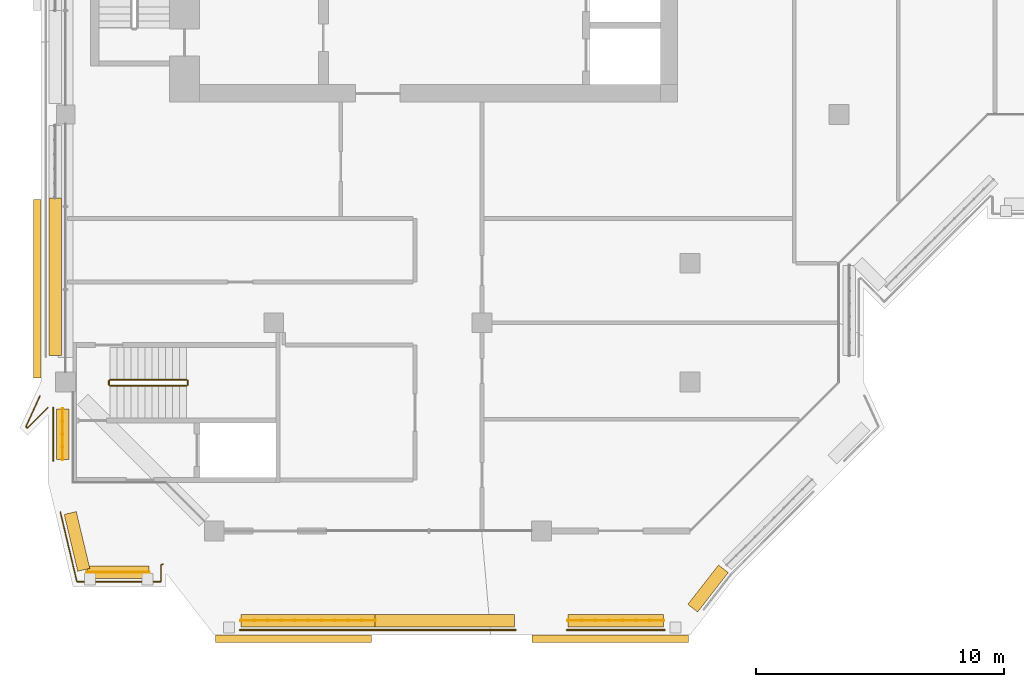
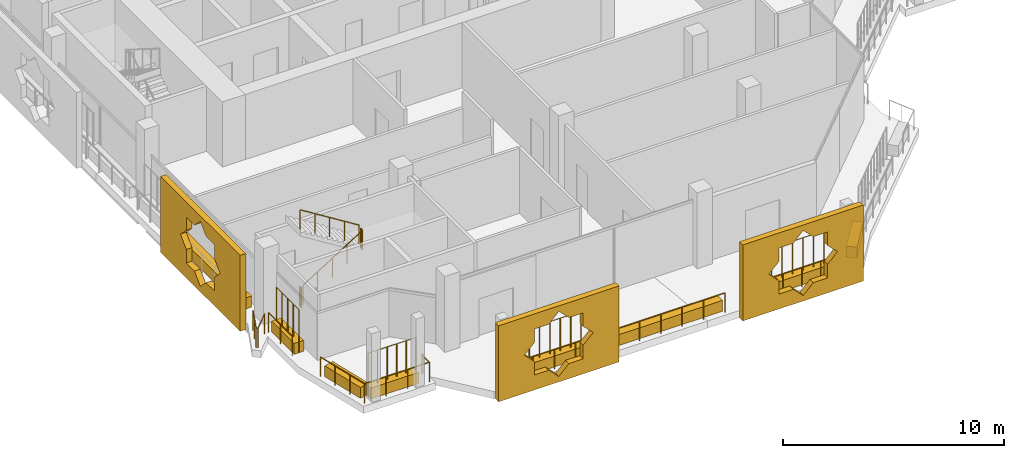
# One storey, part 15 of 22: 13 railings, 11 coverings.
"""IFC4 building model written with IfcOpenShell, lengths in metres."""

from ifc_helpers import new_model, si_unit, direction, frame, origin, origin_2d, place, context, subcontext, project, spatial, polyline, rectangle, circle, outline, extrude, material, material_profile, profile_set, type_object, element, save


model = new_model("IFC4")

# Units and contexts
model_context = context("Model", 3, precision=1e-05, world=origin(), true_north=direction((0.0, 1.0)))
body_context = subcontext(model_context, "Body", "Model", "MODEL_VIEW")
ifc_project = project(units=[si_unit("LENGTHUNIT", "METRE"), si_unit("AREAUNIT", "SQUARE_METRE"), si_unit("VOLUMEUNIT", "CUBIC_METRE"), si_unit("PLANEANGLEUNIT", "RADIAN"), si_unit("MASSUNIT", "GRAM", prefix="KILO")], contexts=[model_context])

# Site, building, storey
site_placement = place(None, origin())
site = spatial("IfcSite", under=ifc_project, at=site_placement, CompositionType="ELEMENT")
building_placement = place(site_placement, origin())
building = spatial("IfcBuilding", under=site, at=building_placement, Name="Kawkab Arch Medical Tower", CompositionType="ELEMENT")
storey_placement = place(building_placement, frame((0.0, 0.0, 298.60009765625)))
storey = spatial("IfcBuildingStorey", under=building, at=storey_placement, Name="L69", CompositionType="ELEMENT", Elevation=298.60009765625)

# Railings
ifc_material_1 = material(Name="Bronze anodised aluminium guard", Category="aluminium")
railing_type_1 = type_object("IfcRailingType", Name="Loggia and terrace guard 1100", PredefinedType="GUARDRAIL", material=ifc_material_1)
railing_1_placement = place(storey_placement, frame((3.94189453125, -43.339111328125, 0.0)))
element("IfcRailing", 1, at=railing_1_placement, inside=storey, type_object=railing_type_1, Name="Guard L69.LOG-01.1.1", PredefinedType="GUARDRAIL", context=body_context, shape_type="SweptSolid", body=[
    extrude(circle(Radius=0.02392578125, at=origin_2d()), frame((0.0, 0.0, 1.076171875), z_axis=(-0.924525255645, -0.381120783577, 0.0), x_axis=(0.381120783577, -0.924525255645, 0.0)), (0.0, 0.0, 1.0), 0.099365234375),
    extrude(circle(Radius=0.02392578125, at=origin_2d()), frame((-0.091796875, -0.037841796875, 1.076171875), z_axis=(0.0, -1.0, 0.0), x_axis=(1.0, 0.0, 0.0)), (0.0, 0.0, 1.0), 0.673095703125),
    extrude(circle(Radius=0.02392578125, at=origin_2d()), frame((-0.091796875, -0.7109375, 1.076171875), z_axis=(-1.0, 0.0, 0.0), x_axis=(0.0, -1.0, 0.0)), (0.0, 0.0, 1.0), 3.39208984375),
    extrude(circle(Radius=0.02392578125, at=origin_2d()), frame((-3.48388671875, -0.7109375, 1.076171875), z_axis=(-0.231442138983, 0.972848670813, 0.0), x_axis=(-0.972848670813, -0.231442138983, 0.0)), (0.0, 0.0, 1.0), 2.898681640625),
    extrude(circle(Radius=0.02099609375, at=origin_2d()), origin(), (0.0, 0.0, 1.0), 1.052001953125),
    extrude(circle(Radius=0.02099609375, at=origin_2d()), frame((-0.091796875, -0.037841796875, 0.0)), (0.0, 0.0, 1.0), 1.052001953125),
    extrude(circle(Radius=0.02099609375, at=origin_2d()), frame((-0.091796875, -0.7109375, 0.0)), (0.0, 0.0, 1.0), 1.052001953125),
    extrude(circle(Radius=0.02099609375, at=origin_2d()), frame((-1.222412109375, -0.7109375, 0.0)), (0.0, 0.0, 1.0), 1.052001953125),
    extrude(circle(Radius=0.02099609375, at=origin_2d()), frame((-2.353271484375, -0.7109375, 0.0)), (0.0, 0.0, 1.0), 1.052001953125),
    extrude(circle(Radius=0.02099609375, at=origin_2d()), frame((-3.48388671875, -0.7109375, 0.0)), (0.0, 0.0, 1.0), 1.052001953125),
    extrude(circle(Radius=0.02099609375, at=origin_2d()), frame((-3.70751953125, 0.22900390625, 0.0)), (0.0, 0.0, 1.0), 1.052001953125),
    extrude(circle(Radius=0.02099609375, at=origin_2d()), frame((-3.93115234375, 1.169189453125, 0.0)), (0.0, 0.0, 1.0), 1.052001953125),
    extrude(circle(Radius=0.02099609375, at=origin_2d()), frame((-4.15478515625, 2.109130859375, 0.0)), (0.0, 0.0, 1.0), 1.052001953125),
])
railing_2_placement = place(storey_placement, frame((-0.5, -39.169921875, 0.0)))
element("IfcRailing", 2, at=railing_2_placement, inside=storey, type_object=railing_type_1, Name="Guard L69.LOG-01.1.2", PredefinedType="GUARDRAIL", context=body_context, shape_type="SweptSolid", body=[
    extrude(circle(Radius=0.02392578125, at=origin_2d()), frame((0.0, 0.0, 1.076171875), z_axis=(0.0, 1.0, 0.0), x_axis=(-1.0, 0.0, 0.0)), (0.0, 0.0, 1.0), 2.139892578125),
    extrude(circle(Radius=0.02099609375, at=origin_2d()), origin(), (0.0, 0.0, 1.0), 1.052001953125),
    extrude(circle(Radius=0.02099609375, at=origin_2d()), frame((0.0, 1.06982421875, 0.0)), (0.0, 0.0, 1.0), 1.052001953125),
    extrude(circle(Radius=0.02099609375, at=origin_2d()), frame((0.0, 2.139892578125, 0.0)), (0.0, 0.0, 1.0), 1.052001953125),
])
railing_3_placement = place(storey_placement, frame((-0.712890625, -37.030029296875, 0.0)))
element("IfcRailing", 3, at=railing_3_placement, inside=storey, type_object=railing_type_1, Name="Guard L69.LOG-01.1.3", PredefinedType="GUARDRAIL", context=body_context, shape_type="SweptSolid", body=[
    extrude(circle(Radius=0.02392578125, at=origin_2d()), frame((0.0, 0.0, 1.076171875), z_axis=(-0.707211390517, -0.707002156378, 0.0), x_axis=(0.707002156378, -0.707211390517, 0.0)), (0.0, 0.0, 1.0), 1.166748046875),
    extrude(circle(Radius=0.02392578125, at=origin_2d()), frame((-0.8251953125, -0.824951171875, 1.076171875), z_axis=(-0.705665181634, 0.708545447681, 0.0), x_axis=(-0.708545447681, -0.705665181634, 0.0)), (0.0, 0.0, 1.0), 0.084716796875),
    extrude(circle(Radius=0.02392578125, at=origin_2d()), frame((-0.885009765625, -0.764892578125, 1.076171875), z_axis=(0.414487545312, 0.910054984483, 0.0), x_axis=(-0.910054984483, 0.414487545312, 0.0)), (0.0, 0.0, 1.0), 1.3701171875),
    extrude(circle(Radius=0.02099609375, at=origin_2d()), origin(), (0.0, 0.0, 1.0), 1.052001953125),
    extrude(circle(Radius=0.02099609375, at=origin_2d()), frame((-0.8251953125, -0.824951171875, 0.0)), (0.0, 0.0, 1.0), 1.052001953125),
    extrude(circle(Radius=0.02099609375, at=origin_2d()), frame((-0.885009765625, -0.764892578125, 0.0)), (0.0, 0.0, 1.0), 1.052001953125),
    extrude(circle(Radius=0.02099609375, at=origin_2d()), frame((-0.60107421875, -0.1416015625, 0.0)), (0.0, 0.0, 1.0), 1.052001953125),
    extrude(circle(Radius=0.02099609375, at=origin_2d()), frame((-0.317138671875, 0.48193359375, 0.0)), (0.0, 0.0, 1.0), 1.052001953125),
])
railing_4_placement = place(storey_placement, frame((24.169921875, -46.0, 0.0)))
element("IfcRailing", 4, at=railing_4_placement, inside=storey, type_object=railing_type_1, Name="Guard L69.LOG-01.1.7", PredefinedType="GUARDRAIL", context=body_context, shape_type="SweptSolid", body=[
    extrude(circle(Radius=0.02392578125, at=origin_2d()), frame((0.0, 0.0, 1.076171875), z_axis=(-1.0, 0.0, 0.0), x_axis=(0.0, -1.0, 0.0)), (0.0, 0.0, 1.0), 3.93994140625),
    extrude(circle(Radius=0.02099609375, at=origin_2d()), origin(), (0.0, 0.0, 1.0), 1.052001953125),
    extrude(circle(Radius=0.02099609375, at=origin_2d()), frame((-0.98486328125, 0.0, 0.0)), (0.0, 0.0, 1.0), 1.052001953125),
    extrude(circle(Radius=0.02099609375, at=origin_2d()), frame((-1.969970703125, 0.0, 0.0)), (0.0, 0.0, 1.0), 1.052001953125),
    extrude(circle(Radius=0.02099609375, at=origin_2d()), frame((-2.955078125, 0.0, 0.0)), (0.0, 0.0, 1.0), 1.052001953125),
    extrude(circle(Radius=0.02099609375, at=origin_2d()), frame((-3.93994140625, 0.0, 0.0)), (0.0, 0.0, 1.0), 1.052001953125),
])
railing_5_placement = place(storey_placement, frame((18.169921875, -46.0, 0.0)))
element("IfcRailing", 5, at=railing_5_placement, inside=storey, type_object=railing_type_1, Name="Guard L69.LOG-01.1.8", PredefinedType="GUARDRAIL", context=body_context, shape_type="SweptSolid", body=[
    extrude(circle(Radius=0.02392578125, at=origin_2d()), frame((0.0, 0.0, 1.076171875), z_axis=(-1.0, 0.0, 0.0), x_axis=(0.0, -1.0, 0.0)), (0.0, 0.0, 1.0), 11.139892578125),
    extrude(circle(Radius=0.02099609375, at=origin_2d()), origin(), (0.0, 0.0, 1.0), 1.052001953125),
    extrude(circle(Radius=0.02099609375, at=origin_2d()), frame((-1.114013671875, 0.0, 0.0)), (0.0, 0.0, 1.0), 1.052001953125),
    extrude(circle(Radius=0.02099609375, at=origin_2d()), frame((-2.22802734375, 0.0, 0.0)), (0.0, 0.0, 1.0), 1.052001953125),
    extrude(circle(Radius=0.02099609375, at=origin_2d()), frame((-3.342041015625, 0.0, 0.0)), (0.0, 0.0, 1.0), 1.052001953125),
    extrude(circle(Radius=0.02099609375, at=origin_2d()), frame((-4.4560546875, 0.0, 0.0)), (0.0, 0.0, 1.0), 1.052001953125),
    extrude(circle(Radius=0.02099609375, at=origin_2d()), frame((-5.56982421875, 0.0, 0.0)), (0.0, 0.0, 1.0), 1.052001953125),
    extrude(circle(Radius=0.02099609375, at=origin_2d()), frame((-6.683837890625, 0.0, 0.0)), (0.0, 0.0, 1.0), 1.052001953125),
    extrude(circle(Radius=0.02099609375, at=origin_2d()), frame((-7.7978515625, 0.0, 0.0)), (0.0, 0.0, 1.0), 1.052001953125),
    extrude(circle(Radius=0.02099609375, at=origin_2d()), frame((-8.911865234375, 0.0, 0.0)), (0.0, 0.0, 1.0), 1.052001953125),
    extrude(circle(Radius=0.02099609375, at=origin_2d()), frame((-10.02587890625, 0.0, 0.0)), (0.0, 0.0, 1.0), 1.052001953125),
    extrude(circle(Radius=0.02099609375, at=origin_2d()), frame((-11.139892578125, 0.0, 0.0)), (0.0, 0.0, 1.0), 1.052001953125),
])

# Coverings
ifc_material_2 = material(Name="Bronze anodised aluminium mashrabiya panel, eight-point star pattern", Category="aluminium")
ifc_material_profile_1 = material_profile(ifc_material_2, outline(polyline([(-3.14990234375, -2.10009765625), (3.14990234375, -2.10009765625), (3.14990234375, 2.10009765625), (-3.14990234375, 2.10009765625), (-3.14990234375, -2.10009765625)]), holes=[polyline([(1.800048828125, 0.0), (1.272705078125, 0.527099609375), (1.272705078125, 1.272705078125), (0.527099609375, 1.272705078125), (0.0, 1.800048828125), (-0.527099609375, 1.272705078125), (-1.272705078125, 1.272705078125), (-1.272705078125, 0.527099609375), (-1.800048828125, 0.0), (-1.272705078125, -0.527099609375), (-1.272705078125, -1.272705078125), (-0.527099609375, -1.272705078125), (0.0, -1.800048828125), (0.527099609375, -1.272705078125), (1.272705078125, -1.272705078125), (1.272705078125, -0.527099609375), (1.800048828125, 0.0)])]), Name="Mashrabiya panel 6300x4200")
ifc_profile_set_1 = profile_set([ifc_material_profile_1], Name="Bronze anodised aluminium mashrabiya panel, eight-point star pattern")
covering_type_1 = type_object("IfcCoveringType", Name="Mashrabiya panel 6300 x 4200", PredefinedType="USERDEFINED", material=ifc_profile_set_1)
for number, where, z_axis, x_axis, name in (
    (6, (21.976806640625, -46.199951171875, 1.699951171875), (0.0, -1.0, 0.0), (1.0, 0.0, 0.0), "Mashrabiya panel L69.LOG-01-01.8"),
    (7, (9.203369140625, -46.199951171875, 1.699951171875), (0.0, -1.0, 0.0), (1.0, 0.0, 0.0), "Mashrabiya panel L69.LOG-01-01.9"),
):
    element("IfcCovering", number, at=place(storey_placement, frame(where, z_axis=z_axis, x_axis=x_axis)), inside=storey, type_object=covering_type_1, Name=name, ObjectType="SCREEN", PredefinedType="USERDEFINED", context=body_context, shape_type="SweptSolid", body=[
        extrude(outline(polyline([(-3.14990234375, -2.10009765625), (3.14990234375, -2.10009765625), (3.14990234375, 2.10009765625), (-3.14990234375, 2.10009765625), (-3.14990234375, -2.10009765625)]), holes=[polyline([(1.800048828125, 0.0), (1.272705078125, 0.527099609375), (1.272705078125, 1.272705078125), (0.527099609375, 1.272705078125), (0.0, 1.800048828125), (-0.527099609375, 1.272705078125), (-1.272705078125, 1.272705078125), (-1.272705078125, 0.527099609375), (-1.800048828125, 0.0), (-1.272705078125, -0.527099609375), (-1.272705078125, -1.272705078125), (-0.527099609375, -1.272705078125), (0.0, -1.800048828125), (0.527099609375, -1.272705078125), (1.272705078125, -1.272705078125), (1.272705078125, -0.527099609375), (1.800048828125, 0.0)])]), origin(), (0.0, 0.0, 1.0), 0.300048828125),
    ])
ifc_material_3 = material(Name="Bronze anodised aluminium mashrabiya panel, eight-point star pattern", Category="aluminium")
ifc_material_profile_2 = material_profile(ifc_material_3, outline(polyline([(-3.60009765625, -2.10009765625), (3.60009765625, -2.10009765625), (3.60009765625, 2.10009765625), (-3.60009765625, 2.10009765625), (-3.60009765625, -2.10009765625)]), holes=[polyline([(1.800048828125, 0.0), (1.272705078125, 0.527099609375), (1.272705078125, 1.272705078125), (0.527099609375, 1.272705078125), (0.0, 1.800048828125), (-0.527099609375, 1.272705078125), (-1.272705078125, 1.272705078125), (-1.272705078125, 0.527099609375), (-1.800048828125, 0.0), (-1.272705078125, -0.527099609375), (-1.272705078125, -1.272705078125), (-0.527099609375, -1.272705078125), (0.0, -1.800048828125), (0.527099609375, -1.272705078125), (1.272705078125, -1.272705078125), (1.272705078125, -0.527099609375), (1.800048828125, 0.0)])]), Name="Mashrabiya panel 7200x4200")
ifc_profile_set_2 = profile_set([ifc_material_profile_2], Name="Bronze anodised aluminium mashrabiya panel, eight-point star pattern")
covering_type_2 = type_object("IfcCoveringType", Name="Mashrabiya panel 7200 x 4200", PredefinedType="USERDEFINED", material=ifc_profile_set_2)
covering_1_placement = place(storey_placement, frame((-1.0, -32.231689453125, 1.699951171875), z_axis=(-1.0, 0.0, 0.0), x_axis=(0.0, -1.0, 0.0)))
element("IfcCovering", 8, at=covering_1_placement, inside=storey, type_object=covering_type_2, Name="Mashrabiya panel L69.LOG-01-01.1", ObjectType="SCREEN", PredefinedType="USERDEFINED", context=body_context, shape_type="SweptSolid", body=[
    extrude(outline(polyline([(-3.60009765625, -2.10009765625), (3.60009765625, -2.10009765625), (3.60009765625, 2.10009765625), (-3.60009765625, 2.10009765625), (-3.60009765625, -2.10009765625)]), holes=[polyline([(1.800048828125, 0.0), (1.272705078125, 0.527099609375), (1.272705078125, 1.272705078125), (0.527099609375, 1.272705078125), (0.0, 1.800048828125), (-0.527099609375, 1.272705078125), (-1.272705078125, 1.272705078125), (-1.272705078125, 0.527099609375), (-1.800048828125, 0.0), (-1.272705078125, -0.527099609375), (-1.272705078125, -1.272705078125), (-0.527099609375, -1.272705078125), (0.0, -1.800048828125), (0.527099609375, -1.272705078125), (1.272705078125, -1.272705078125), (1.272705078125, -0.527099609375), (1.800048828125, 0.0)])]), origin(), (0.0, 0.0, 1.0), 0.300048828125),
])
ifc_material_4 = material(Name="Planting soil in a precast trough", Category="concrete")
ifc_material_profile_3 = material_profile(ifc_material_4, rectangle(XDim=0.5, YDim=0.60009765625, at=origin_2d()), Name="Trough 500x600")
ifc_profile_set_3 = profile_set([ifc_material_profile_3], Name="Planting soil in a precast trough")
covering_type_3 = type_object("IfcCoveringType", Name="Planter trough 500 x 600", PredefinedType="USERDEFINED", material=ifc_profile_set_3)
covering_2_placement = place(storey_placement, frame((3.3701171875, -43.669921875, 0.2998046875), z_axis=(-1.0, 0.0, 0.0), x_axis=(0.0, -1.0, 0.0)))
element("IfcCovering", 9, at=covering_2_placement, inside=storey, type_object=covering_type_3, Name="Planter L69.LOG-01-01.1", ObjectType="PLANTER", PredefinedType="USERDEFINED", context=body_context, shape_type="SweptSolid", body=[
    extrude(rectangle(XDim=0.5, YDim=0.60009765625, at=origin_2d()), origin(), (0.0, 0.0, 1.0), 2.51220703125),
])
covering_3_placement = place(storey_placement, frame((0.735107421875, -43.572998046875, 0.2998046875), z_axis=(-0.231699875656, 0.972787318802, 0.0), x_axis=(-0.972787318802, -0.231699875656, 0.0)))
element("IfcCovering", 10, at=covering_3_placement, inside=storey, type_object=covering_type_3, Name="Planter L69.LOG-01-01.2", ObjectType="PLANTER", PredefinedType="USERDEFINED", context=body_context, shape_type="SweptSolid", body=[
    extrude(rectangle(XDim=0.5, YDim=0.60009765625, at=origin_2d()), origin(), (0.0, 0.0, 1.0), 2.357177734375),
])
covering_4_placement = place(storey_placement, frame((-0.1201171875, -39.1201171875, 0.2998046875), z_axis=(0.0, 1.0, 0.0), x_axis=(-1.0, 0.0, 0.0)))
element("IfcCovering", 11, at=covering_4_placement, inside=storey, type_object=covering_type_3, Name="Planter L69.LOG-01-01.3", ObjectType="PLANTER", PredefinedType="USERDEFINED", context=body_context, shape_type="SweptSolid", body=[
    extrude(rectangle(XDim=0.5, YDim=0.60009765625, at=origin_2d()), origin(), (0.0, 0.0, 1.0), 2.0400390625),
])
covering_5_placement = place(storey_placement, frame((-0.419921875, -34.919921875, 0.2998046875), z_axis=(0.0, 1.0, 0.0), x_axis=(-1.0, 0.0, 0.0)))
element("IfcCovering", 12, at=covering_5_placement, inside=storey, type_object=covering_type_3, Name="Planter L69.LOG-01-01.4", ObjectType="PLANTER", PredefinedType="USERDEFINED", context=body_context, shape_type="SweptSolid", body=[
    extrude(rectangle(XDim=0.5, YDim=0.60009765625, at=origin_2d()), origin(), (0.0, 0.0, 1.0), 6.35693359375),
])
covering_6_placement = place(storey_placement, frame((26.541015625, -43.531982421875, 0.2998046875), z_axis=(-0.61420933359, -0.789143139444, 0.0), x_axis=(0.789143139444, -0.61420933359, 0.0)))
element("IfcCovering", 13, at=covering_6_placement, inside=storey, type_object=covering_type_3, Name="Planter L69.LOG-01-01.34", ObjectType="PLANTER", PredefinedType="USERDEFINED", context=body_context, shape_type="SweptSolid", body=[
    extrude(rectangle(XDim=0.5, YDim=0.60009765625, at=origin_2d()), origin(), (0.0, 0.0, 1.0), 2.012451171875),
])
covering_7_placement = place(storey_placement, frame((24.1201171875, -45.6201171875, 0.2998046875), z_axis=(-1.0, 0.0, 0.0), x_axis=(0.0, -1.0, 0.0)))
element("IfcCovering", 14, at=covering_7_placement, inside=storey, type_object=covering_type_3, Name="Planter L69.LOG-01-01.35", ObjectType="PLANTER", PredefinedType="USERDEFINED", context=body_context, shape_type="SweptSolid", body=[
    extrude(rectangle(XDim=0.5, YDim=0.60009765625, at=origin_2d()), origin(), (0.0, 0.0, 1.0), 3.840087890625),
])
covering_8_placement = place(storey_placement, frame((18.1201171875, -45.6201171875, 0.2998046875), z_axis=(-1.0, 0.0, 0.0), x_axis=(0.0, -1.0, 0.0)))
element("IfcCovering", 15, at=covering_8_placement, inside=storey, type_object=covering_type_3, Name="Planter L69.LOG-01-01.36", ObjectType="PLANTER", PredefinedType="USERDEFINED", context=body_context, shape_type="SweptSolid", body=[
    extrude(rectangle(XDim=0.5, YDim=0.60009765625, at=origin_2d()), origin(), (0.0, 0.0, 1.0), 5.625),
])
covering_9_placement = place(storey_placement, frame((12.4951171875, -45.6201171875, 0.2998046875), z_axis=(-1.0, 0.0, 0.0), x_axis=(0.0, -1.0, 0.0)))
element("IfcCovering", 16, at=covering_9_placement, inside=storey, type_object=covering_type_3, Name="Planter L69.LOG-01-01.37", ObjectType="PLANTER", PredefinedType="USERDEFINED", context=body_context, shape_type="SweptSolid", body=[
    extrude(rectangle(XDim=0.5, YDim=0.60009765625, at=origin_2d()), origin(), (0.0, 0.0, 1.0), 5.4150390625),
])

# Railings
ifc_material_5 = material(Name="Bronze anodised aluminium trellis for climbing plants", Category="aluminium")
railing_type_2 = type_object("IfcRailingType", Name="Planting trellis 2400", PredefinedType="USERDEFINED", material=ifc_material_5)
railing_6_placement = place(storey_placement, frame((3.3701171875, -43.669921875, 0.0)))
element("IfcRailing", 17, at=railing_6_placement, inside=storey, type_object=railing_type_2, Name="Planting trellis L69.LOG-01-01.1", ObjectType="TRELLIS", PredefinedType="USERDEFINED", context=body_context, shape_type="SweptSolid", body=[
    extrude(circle(Radius=0.01513671875, at=origin_2d()), frame((0.0, 0.0, 2.384765625), z_axis=(-1.0, 0.0, 0.0), x_axis=(0.0, -1.0, 0.0)), (0.0, 0.0, 1.0), 2.51220703125),
    extrude(circle(Radius=0.030029296875, at=origin_2d()), origin(), (0.0, 0.0, 1.0), 2.369873046875),
    extrude(circle(Radius=0.030029296875, at=origin_2d()), frame((-0.50244140625, 0.0, 0.0)), (0.0, 0.0, 1.0), 2.369873046875),
    extrude(circle(Radius=0.030029296875, at=origin_2d()), frame((-1.0048828125, 0.0, 0.0)), (0.0, 0.0, 1.0), 2.369873046875),
    extrude(circle(Radius=0.030029296875, at=origin_2d()), frame((-1.50732421875, 0.0, 0.0)), (0.0, 0.0, 1.0), 2.369873046875),
    extrude(circle(Radius=0.030029296875, at=origin_2d()), frame((-2.009765625, 0.0, 0.0)), (0.0, 0.0, 1.0), 2.369873046875),
    extrude(circle(Radius=0.030029296875, at=origin_2d()), frame((-2.51220703125, 0.0, 0.0)), (0.0, 0.0, 1.0), 2.369873046875),
])
railing_7_placement = place(storey_placement, frame((-0.1201171875, -39.1201171875, 0.0)))
element("IfcRailing", 18, at=railing_7_placement, inside=storey, type_object=railing_type_2, Name="Planting trellis L69.LOG-01-01.3", ObjectType="TRELLIS", PredefinedType="USERDEFINED", context=body_context, shape_type="SweptSolid", body=[
    extrude(circle(Radius=0.01513671875, at=origin_2d()), frame((0.0, 0.0, 2.384765625), z_axis=(0.0, 1.0, 0.0), x_axis=(-1.0, 0.0, 0.0)), (0.0, 0.0, 1.0), 2.0400390625),
    extrude(circle(Radius=0.030029296875, at=origin_2d()), origin(), (0.0, 0.0, 1.0), 2.369873046875),
    extrude(circle(Radius=0.030029296875, at=origin_2d()), frame((0.0, 0.510009765625, 0.0)), (0.0, 0.0, 1.0), 2.369873046875),
    extrude(circle(Radius=0.030029296875, at=origin_2d()), frame((0.0, 1.02001953125, 0.0)), (0.0, 0.0, 1.0), 2.369873046875),
    extrude(circle(Radius=0.030029296875, at=origin_2d()), frame((0.0, 1.530029296875, 0.0)), (0.0, 0.0, 1.0), 2.369873046875),
    extrude(circle(Radius=0.030029296875, at=origin_2d()), frame((0.0, 2.0400390625, 0.0)), (0.0, 0.0, 1.0), 2.369873046875),
])
railing_8_placement = place(storey_placement, frame((24.1201171875, -45.6201171875, 0.0)))
element("IfcRailing", 19, at=railing_8_placement, inside=storey, type_object=railing_type_2, Name="Planting trellis L69.LOG-01-01.35", ObjectType="TRELLIS", PredefinedType="USERDEFINED", context=body_context, shape_type="SweptSolid", body=[
    extrude(circle(Radius=0.01513671875, at=origin_2d()), frame((0.0, 0.0, 2.384765625), z_axis=(-1.0, 0.0, 0.0), x_axis=(0.0, -1.0, 0.0)), (0.0, 0.0, 1.0), 3.840087890625),
    extrude(circle(Radius=0.030029296875, at=origin_2d()), origin(), (0.0, 0.0, 1.0), 2.369873046875),
    extrude(circle(Radius=0.030029296875, at=origin_2d()), frame((-0.548583984375, 0.0, 0.0)), (0.0, 0.0, 1.0), 2.369873046875),
    extrude(circle(Radius=0.030029296875, at=origin_2d()), frame((-1.09716796875, 0.0, 0.0)), (0.0, 0.0, 1.0), 2.369873046875),
    extrude(circle(Radius=0.030029296875, at=origin_2d()), frame((-1.645751953125, 0.0, 0.0)), (0.0, 0.0, 1.0), 2.369873046875),
    extrude(circle(Radius=0.030029296875, at=origin_2d()), frame((-2.1943359375, 0.0, 0.0)), (0.0, 0.0, 1.0), 2.369873046875),
    extrude(circle(Radius=0.030029296875, at=origin_2d()), frame((-2.742919921875, 0.0, 0.0)), (0.0, 0.0, 1.0), 2.369873046875),
    extrude(circle(Radius=0.030029296875, at=origin_2d()), frame((-3.29150390625, 0.0, 0.0)), (0.0, 0.0, 1.0), 2.369873046875),
    extrude(circle(Radius=0.030029296875, at=origin_2d()), frame((-3.840087890625, 0.0, 0.0)), (0.0, 0.0, 1.0), 2.369873046875),
])
railing_9_placement = place(storey_placement, frame((12.4951171875, -45.6201171875, 0.0)))
element("IfcRailing", 20, at=railing_9_placement, inside=storey, type_object=railing_type_2, Name="Planting trellis L69.LOG-01-01.37", ObjectType="TRELLIS", PredefinedType="USERDEFINED", context=body_context, shape_type="SweptSolid", body=[
    extrude(circle(Radius=0.01513671875, at=origin_2d()), frame((0.0, 0.0, 2.384765625), z_axis=(-1.0, 0.0, 0.0), x_axis=(0.0, -1.0, 0.0)), (0.0, 0.0, 1.0), 5.4150390625),
    extrude(circle(Radius=0.030029296875, at=origin_2d()), origin(), (0.0, 0.0, 1.0), 2.369873046875),
    extrude(circle(Radius=0.030029296875, at=origin_2d()), frame((-0.54150390625, 0.0, 0.0)), (0.0, 0.0, 1.0), 2.369873046875),
    extrude(circle(Radius=0.030029296875, at=origin_2d()), frame((-1.0830078125, 0.0, 0.0)), (0.0, 0.0, 1.0), 2.369873046875),
    extrude(circle(Radius=0.030029296875, at=origin_2d()), frame((-1.62451171875, 0.0, 0.0)), (0.0, 0.0, 1.0), 2.369873046875),
    extrude(circle(Radius=0.030029296875, at=origin_2d()), frame((-2.166015625, 0.0, 0.0)), (0.0, 0.0, 1.0), 2.369873046875),
    extrude(circle(Radius=0.030029296875, at=origin_2d()), frame((-2.70751953125, 0.0, 0.0)), (0.0, 0.0, 1.0), 2.369873046875),
    extrude(circle(Radius=0.030029296875, at=origin_2d()), frame((-3.2490234375, 0.0, 0.0)), (0.0, 0.0, 1.0), 2.369873046875),
    extrude(circle(Radius=0.030029296875, at=origin_2d()), frame((-3.79052734375, 0.0, 0.0)), (0.0, 0.0, 1.0), 2.369873046875),
    extrude(circle(Radius=0.030029296875, at=origin_2d()), frame((-4.33203125, 0.0, 0.0)), (0.0, 0.0, 1.0), 2.369873046875),
    extrude(circle(Radius=0.030029296875, at=origin_2d()), frame((-4.87353515625, 0.0, 0.0)), (0.0, 0.0, 1.0), 2.369873046875),
    extrude(circle(Radius=0.030029296875, at=origin_2d()), frame((-5.4150390625, 0.0, 0.0)), (0.0, 0.0, 1.0), 2.369873046875),
])
ifc_material_6 = material(Name="Stainless steel", Category="steel")
railing_type_3 = type_object("IfcRailingType", Name="Stair guard 1100", PredefinedType="GUARDRAIL", material=ifc_material_6)
railing_10_placement = place(storey_placement, frame((1.800048828125, -36.14990234375, 0.1748046875)))
element("IfcRailing", 21, at=railing_10_placement, inside=storey, type_object=railing_type_3, Name="L69 ST6 stair guard 1", PredefinedType="GUARDRAIL", context=body_context, shape_type="SweptSolid", body=[
    extrude(circle(Radius=0.02392578125, at=origin_2d()), frame((0.0, 0.0, 1.076171875), z_axis=(0.847979421464, 0.0, 0.530029150871), x_axis=(0.0, 1.0, 0.0)), (0.0, 0.0, 1.0), 3.632080078125),
    extrude(circle(Radius=0.02099609375, at=origin_2d()), origin(), (0.0, 0.0, 1.0), 1.052001953125),
    extrude(circle(Radius=0.02099609375, at=origin_2d()), frame((0.77001953125, 0.0, 0.481201171875)), (0.0, 0.0, 1.0), 1.052001953125),
    extrude(circle(Radius=0.02099609375, at=origin_2d()), frame((1.5400390625, 0.0, 0.96240234375)), (0.0, 0.0, 1.0), 1.052001953125),
    extrude(circle(Radius=0.02099609375, at=origin_2d()), frame((2.309814453125, 0.0, 1.44384765625)), (0.0, 0.0, 1.0), 1.052001953125),
    extrude(circle(Radius=0.02099609375, at=origin_2d()), frame((3.079833984375, 0.0, 1.925048828125)), (0.0, 0.0, 1.0), 1.052001953125),
])
railing_11_placement = place(storey_placement, frame((4.929931640625, -36.10009765625, 2.099853515625)))
element("IfcRailing", 22, at=railing_11_placement, inside=storey, type_object=railing_type_3, Name="L69 ST6 stair guard 2", PredefinedType="GUARDRAIL", context=body_context, shape_type="SweptSolid", body=[
    extrude(circle(Radius=0.02392578125, at=origin_2d()), frame((0.0, 0.0, 1.076171875), z_axis=(0.0, 1.0, 0.0), x_axis=(-1.0, 0.0, 0.0)), (0.0, 0.0, 1.0), 0.150146484375),
    extrude(circle(Radius=0.02099609375, at=origin_2d()), origin(), (0.0, 0.0, 1.0), 1.052001953125),
    extrude(circle(Radius=0.02099609375, at=origin_2d()), frame((0.0, 0.150146484375, 0.0)), (0.0, 0.0, 1.0), 1.052001953125),
])
railing_12_placement = place(storey_placement, frame((4.8798828125, -35.89990234375, 2.27490234375)))
element("IfcRailing", 23, at=railing_12_placement, inside=storey, type_object=railing_type_3, Name="L69 ST6 stair guard 3", PredefinedType="GUARDRAIL", context=body_context, shape_type="SweptSolid", body=[
    extrude(circle(Radius=0.02392578125, at=origin_2d()), frame((0.0, 0.0, 1.076171875), z_axis=(-0.847979421464, 0.0, 0.530029150871), x_axis=(0.0, -1.0, 0.0)), (0.0, 0.0, 1.0), 3.632080078125),
    extrude(circle(Radius=0.02099609375, at=origin_2d()), origin(), (0.0, 0.0, 1.0), 1.052001953125),
    extrude(circle(Radius=0.02099609375, at=origin_2d()), frame((-0.77001953125, 0.0, 0.481201171875)), (0.0, 0.0, 1.0), 1.052001953125),
    extrude(circle(Radius=0.02099609375, at=origin_2d()), frame((-1.5400390625, 0.0, 0.96240234375)), (0.0, 0.0, 1.0), 1.052001953125),
    extrude(circle(Radius=0.02099609375, at=origin_2d()), frame((-2.309814453125, 0.0, 1.44384765625)), (0.0, 0.0, 1.0), 1.052001953125),
    extrude(circle(Radius=0.02099609375, at=origin_2d()), frame((-3.079833984375, 0.0, 1.925048828125)), (0.0, 0.0, 1.0), 1.052001953125),
])
railing_13_placement = place(storey_placement, frame((1.75, -36.10009765625, 0.0)))
element("IfcRailing", 24, at=railing_13_placement, inside=storey, type_object=railing_type_3, Name="L69 ST6 stair guard 4", PredefinedType="GUARDRAIL", context=body_context, shape_type="SweptSolid", body=[
    extrude(circle(Radius=0.02392578125, at=origin_2d()), frame((0.0, 0.0, 1.076171875), z_axis=(0.0, 1.0, 0.0), x_axis=(-1.0, 0.0, 0.0)), (0.0, 0.0, 1.0), 0.150146484375),
    extrude(circle(Radius=0.02099609375, at=origin_2d()), origin(), (0.0, 0.0, 1.0), 1.052001953125),
    extrude(circle(Radius=0.02099609375, at=origin_2d()), frame((0.0, 0.150146484375, 0.0)), (0.0, 0.0, 1.0), 1.052001953125),
])

save(model, "model.ifc")
